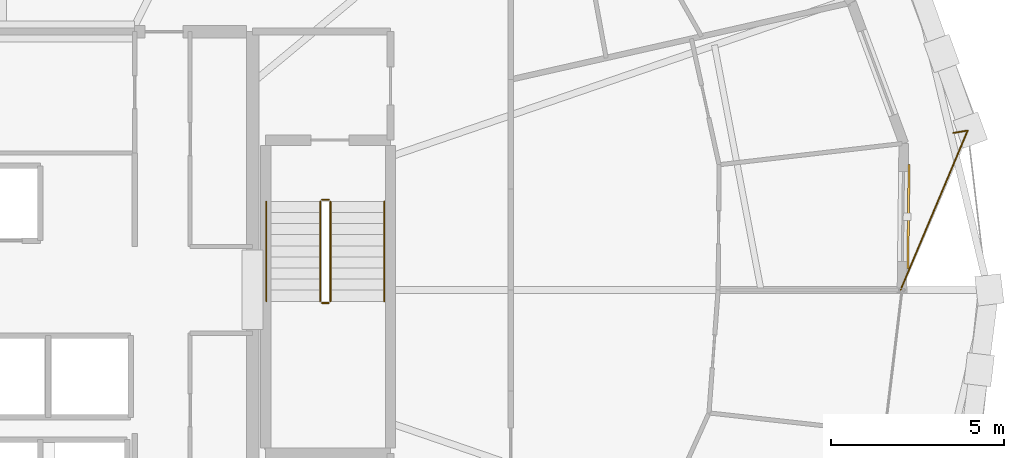
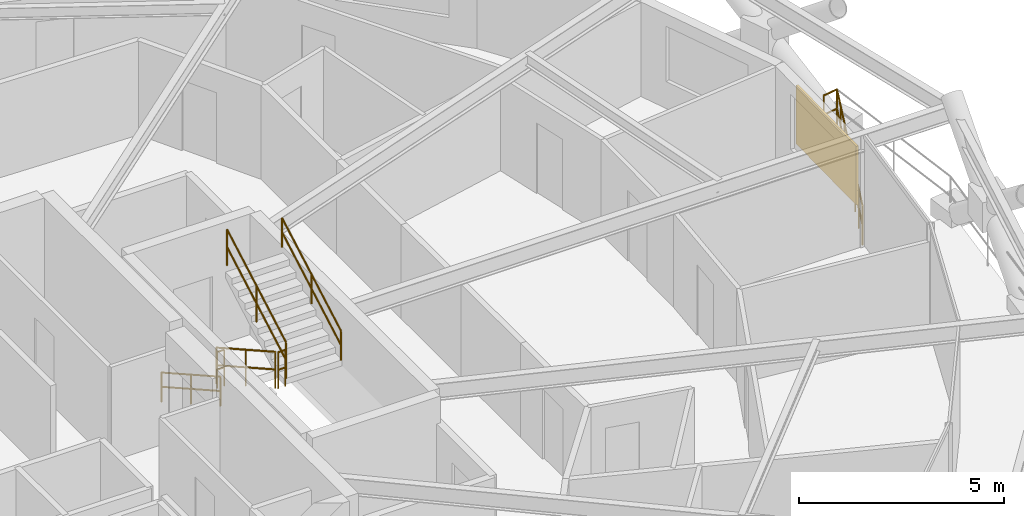
# One storey, part 21 of 21: 7 railings, 1 shading device.
"""IFC4 building model written with IfcOpenShell, lengths in metres."""

from ifc_helpers import new_model, si_unit, direction, frame, origin, origin_2d, place, context, subcontext, project, spatial, rectangle, circle, extrude, material, layer, layer_set, type_object, element, save


model = new_model("IFC4")

# Units and contexts
model_context = context("Model", 3, precision=1e-05, world=origin(), true_north=direction((0.0, 1.0)))
body_context = subcontext(model_context, "Body", "Model", "MODEL_VIEW")
ifc_project = project(units=[si_unit("LENGTHUNIT", "METRE"), si_unit("AREAUNIT", "SQUARE_METRE"), si_unit("VOLUMEUNIT", "CUBIC_METRE"), si_unit("PLANEANGLEUNIT", "RADIAN"), si_unit("MASSUNIT", "GRAM", prefix="KILO")], contexts=[model_context])

# Site, building, storey
site_placement = place(None, origin())
site = spatial("IfcSite", under=ifc_project, at=site_placement, CompositionType="ELEMENT")
building_placement = place(site_placement, origin())
building = spatial("IfcBuilding", under=site, at=building_placement, Name="Veldorina Hangang Commons", CompositionType="ELEMENT")
storey_placement = place(building_placement, frame((0.0, 0.0, 138.800048828125)))
storey = spatial("IfcBuildingStorey", under=building, at=storey_placement, Name="L35", CompositionType="ELEMENT", Elevation=138.800048828125)

# Railings
ifc_material_1 = material(Name="Glass Laminated Safety Balustrade", Category="glass")
railing_type_1 = type_object("IfcRailingType", Name="RL-BAL-LOGGIA", PredefinedType="BALUSTRADE", material=ifc_material_1)
railing_1_placement = place(storey_placement, frame((59.418212890625, 28.52685546875, 0.0)))
element("IfcRailing", 1, at=railing_1_placement, inside=storey, type_object=railing_type_1, Name="L35 sky-garden loggia end balustrade B", PredefinedType="BALUSTRADE", context=body_context, shape_type="SweptSolid", body=[
    extrude(circle(Radius=0.02392578125, at=origin_2d()), frame((0.0, 0.0, 1.17578125), z_axis=(0.986659757818, 0.162795952969, 0.0), x_axis=(-0.162795952969, 0.986659757818, 0.0)), (0.0, 0.0, 1.0), 0.419921875),
    extrude(circle(Radius=0.02392578125, at=origin_2d()), frame((0.0, 0.0, 0.60009765625), z_axis=(0.986659757818, 0.162795952969, 0.0), x_axis=(-0.162795952969, 0.986659757818, 0.0)), (0.0, 0.0, 1.0), 0.419921875),
    extrude(circle(Radius=0.02392578125, at=origin_2d()), frame((0.414306640625, 0.068359375, 1.17578125), z_axis=(-0.38797162165, -0.921671319286, 0.0), x_axis=(0.921671319286, -0.38797162165, 0.0)), (0.0, 0.0, 1.0), 4.98583984375),
    extrude(circle(Radius=0.02392578125, at=origin_2d()), frame((0.414306640625, 0.068359375, 0.60009765625), z_axis=(-0.38797162165, -0.921671319286, 0.0), x_axis=(0.921671319286, -0.38797162165, 0.0)), (0.0, 0.0, 1.0), 4.98583984375),
    extrude(circle(Radius=0.02099609375, at=origin_2d()), origin(), (0.0, 0.0, 1.0), 1.15185546875),
    extrude(circle(Radius=0.02099609375, at=origin_2d()), frame((0.414306640625, 0.068359375, 0.0)), (0.0, 0.0, 1.0), 1.15185546875),
    extrude(circle(Radius=0.02099609375, at=origin_2d()), frame((0.137939453125, -0.588134765625, 0.0)), (0.0, 0.0, 1.0), 1.15185546875),
    extrude(circle(Radius=0.02099609375, at=origin_2d()), frame((-0.138427734375, -1.24462890625, 0.0)), (0.0, 0.0, 1.0), 1.15185546875),
    extrude(circle(Radius=0.02099609375, at=origin_2d()), frame((-0.414794921875, -1.901123046875, 0.0)), (0.0, 0.0, 1.0), 1.15185546875),
    extrude(circle(Radius=0.02099609375, at=origin_2d()), frame((-0.69091796875, -2.557373046875, 0.0)), (0.0, 0.0, 1.0), 1.15185546875),
    extrude(circle(Radius=0.02099609375, at=origin_2d()), frame((-0.96728515625, -3.2138671875, 0.0)), (0.0, 0.0, 1.0), 1.15185546875),
    extrude(circle(Radius=0.02099609375, at=origin_2d()), frame((-1.24365234375, -3.870361328125, 0.0)), (0.0, 0.0, 1.0), 1.15185546875),
    extrude(circle(Radius=0.02099609375, at=origin_2d()), frame((-1.52001953125, -4.52685546875, 0.0)), (0.0, 0.0, 1.0), 1.15185546875),
])
ifc_material_2 = material(Name="Steel Painted Balustrade", Category="steel")
railing_type_2 = type_object("IfcRailingType", Name="RL-GRD-STAIR", PredefinedType="GUARDRAIL", material=ifc_material_2)
railing_2_placement = place(storey_placement, frame((41.14990234375, 26.550048828125, 0.179931640625)))
element("IfcRailing", 2, at=railing_2_placement, inside=storey, type_object=railing_type_2, Name="L35 ST-2 stair guard 1", PredefinedType="GUARDRAIL", context=body_context, shape_type="SweptSolid", body=[
    extrude(circle(Radius=0.02392578125, at=origin_2d()), frame((0.0, 0.0, 1.076171875), z_axis=(0.0, -0.871569617843, 0.490271762652), x_axis=(1.0, 0.0, 0.0)), (0.0, 0.0, 1.0), 3.304443359375),
    extrude(circle(Radius=0.02392578125, at=origin_2d()), frame((0.0, 0.0, 0.550048828125), z_axis=(0.0, -0.871569617843, 0.490271762652), x_axis=(1.0, 0.0, 0.0)), (0.0, 0.0, 1.0), 3.304443359375),
    extrude(circle(Radius=0.02099609375, at=origin_2d()), origin(), (0.0, 0.0, 1.0), 1.052001953125),
    extrude(circle(Radius=0.02099609375, at=origin_2d()), frame((0.0, -1.43994140625, 0.81005859375)), (0.0, 0.0, 1.0), 1.052001953125),
    extrude(circle(Radius=0.02099609375, at=origin_2d()), frame((0.0, -2.880126953125, 1.6201171875)), (0.0, 0.0, 1.0), 1.052001953125),
])
railing_3_placement = place(storey_placement, frame((41.199951171875, 23.6201171875, 1.800048828125)))
element("IfcRailing", 3, at=railing_3_placement, inside=storey, type_object=railing_type_2, Name="L35 ST-2 stair guard 2", PredefinedType="GUARDRAIL", context=body_context, shape_type="SweptSolid", body=[
    extrude(circle(Radius=0.02392578125, at=origin_2d()), frame((0.0, 0.0, 1.076171875), z_axis=(1.0, 0.0, 0.0), x_axis=(0.0, 1.0, 0.0)), (0.0, 0.0, 1.0), 0.199951171875),
    extrude(circle(Radius=0.02392578125, at=origin_2d()), frame((0.0, 0.0, 0.550048828125), z_axis=(1.0, 0.0, 0.0), x_axis=(0.0, 1.0, 0.0)), (0.0, 0.0, 1.0), 0.199951171875),
    extrude(circle(Radius=0.02099609375, at=origin_2d()), origin(), (0.0, 0.0, 1.0), 1.052001953125),
    extrude(circle(Radius=0.02099609375, at=origin_2d()), frame((0.199951171875, 0.0, 0.0)), (0.0, 0.0, 1.0), 1.052001953125),
])
railing_4_placement = place(storey_placement, frame((41.449951171875, 23.669921875, 1.97998046875)))
element("IfcRailing", 4, at=railing_4_placement, inside=storey, type_object=railing_type_2, Name="L35 ST-2 stair guard 3", PredefinedType="GUARDRAIL", context=body_context, shape_type="SweptSolid", body=[
    extrude(circle(Radius=0.02392578125, at=origin_2d()), frame((0.0, 0.0, 1.076171875), z_axis=(0.0, 0.871601186807, 0.490215637405), x_axis=(-1.0, 0.0, 0.0)), (0.0, 0.0, 1.0), 3.304443359375),
    extrude(circle(Radius=0.02392578125, at=origin_2d()), frame((0.0, 0.0, 0.550048828125), z_axis=(0.0, 0.871601186807, 0.490215637405), x_axis=(-1.0, 0.0, 0.0)), (0.0, 0.0, 1.0), 3.304443359375),
    extrude(circle(Radius=0.02099609375, at=origin_2d()), origin(), (0.0, 0.0, 1.0), 1.052001953125),
    extrude(circle(Radius=0.02099609375, at=origin_2d()), frame((0.0, 1.43994140625, 0.81005859375)), (0.0, 0.0, 1.0), 1.052001953125),
    extrude(circle(Radius=0.02099609375, at=origin_2d()), frame((0.0, 2.880126953125, 1.619873046875)), (0.0, 0.0, 1.0), 1.052001953125),
])
railing_5_placement = place(storey_placement, frame((41.199951171875, 26.60009765625, 0.0)))
element("IfcRailing", 5, at=railing_5_placement, inside=storey, type_object=railing_type_2, Name="L35 ST-2 stair guard 4", PredefinedType="GUARDRAIL", context=body_context, shape_type="SweptSolid", body=[
    extrude(circle(Radius=0.02392578125, at=origin_2d()), frame((0.0, 0.0, 1.076171875), z_axis=(1.0, 0.0, 0.0), x_axis=(0.0, 1.0, 0.0)), (0.0, 0.0, 1.0), 0.199951171875),
    extrude(circle(Radius=0.02392578125, at=origin_2d()), frame((0.0, 0.0, 0.550048828125), z_axis=(1.0, 0.0, 0.0), x_axis=(0.0, 1.0, 0.0)), (0.0, 0.0, 1.0), 0.199951171875),
    extrude(circle(Radius=0.02099609375, at=origin_2d()), origin(), (0.0, 0.0, 1.0), 1.052001953125),
    extrude(circle(Radius=0.02099609375, at=origin_2d()), frame((0.199951171875, 0.0, 0.0)), (0.0, 0.0, 1.0), 1.052001953125),
])
ifc_material_3 = material(Name="Stainless Steel Brushed 316", Category="steel")
railing_type_3 = type_object("IfcRailingType", Name="RL-HND-STAIR", PredefinedType="HANDRAIL", material=ifc_material_3)
railing_6_placement = place(storey_placement, frame((39.60009765625, 26.550048828125, 0.179931640625)))
element("IfcRailing", 6, at=railing_6_placement, inside=storey, type_object=railing_type_3, Name="L35 ST-2 stair handrail 1", PredefinedType="HANDRAIL", context=body_context, shape_type="SweptSolid", body=[
    extrude(circle(Radius=0.02392578125, at=origin_2d()), frame((0.0, 0.0, 0.8759765625), z_axis=(0.0, -0.871569617843, 0.490271762652), x_axis=(1.0, 0.0, 0.0)), (0.0, 0.0, 1.0), 3.304443359375),
    extrude(circle(Radius=0.02392578125, at=origin_2d()), frame((0.0, 0.0, 0.449951171875), z_axis=(0.0, -0.871569617843, 0.490271762652), x_axis=(1.0, 0.0, 0.0)), (0.0, 0.0, 1.0), 3.304443359375),
    extrude(circle(Radius=0.02099609375, at=origin_2d()), origin(), (0.0, 0.0, 1.0), 0.851806640625),
    extrude(circle(Radius=0.02099609375, at=origin_2d()), frame((0.0, -1.43994140625, 0.81005859375)), (0.0, 0.0, 1.0), 0.851806640625),
    extrude(circle(Radius=0.02099609375, at=origin_2d()), frame((0.0, -2.880126953125, 1.6201171875)), (0.0, 0.0, 1.0), 0.851806640625),
])
railing_7_placement = place(storey_placement, frame((43.0, 23.669921875, 1.97998046875)))
element("IfcRailing", 7, at=railing_7_placement, inside=storey, type_object=railing_type_3, Name="L35 ST-2 stair handrail 2", PredefinedType="HANDRAIL", context=body_context, shape_type="SweptSolid", body=[
    extrude(circle(Radius=0.02392578125, at=origin_2d()), frame((0.0, 0.0, 0.8759765625), z_axis=(0.0, 0.871601186807, 0.490215637405), x_axis=(-1.0, 0.0, 0.0)), (0.0, 0.0, 1.0), 3.304443359375),
    extrude(circle(Radius=0.02392578125, at=origin_2d()), frame((0.0, 0.0, 0.449951171875), z_axis=(0.0, 0.871601186807, 0.490215637405), x_axis=(-1.0, 0.0, 0.0)), (0.0, 0.0, 1.0), 3.304443359375),
    extrude(circle(Radius=0.02099609375, at=origin_2d()), origin(), (0.0, 0.0, 1.0), 0.851806640625),
    extrude(circle(Radius=0.02099609375, at=origin_2d()), frame((0.0, 1.43994140625, 0.81005859375)), (0.0, 0.0, 1.0), 0.851806640625),
    extrude(circle(Radius=0.02099609375, at=origin_2d()), frame((0.0, 2.880126953125, 1.619873046875)), (0.0, 0.0, 1.0), 0.851806640625),
])

# Shading device
ifc_material_4 = material(Name="Ceramic Glazed Terracotta", Category="masonry")
ifc_layer = layer(ifc_material_4, 0.06005859375)
ifc_layer_set = layer_set([ifc_layer], Name="Ceramic Glazed Terracotta")
shading_device_type = type_object("IfcShadingDeviceType", Name="SCR-CER-3000", PredefinedType="USERDEFINED", material=ifc_layer_set)
shading_device_placement = place(storey_placement, frame((58.123779296875, 26.111083984375, 0.75), z_axis=(0.0, 0.0, 1.0), x_axis=(0.012025028722, 0.999927696728, 0.0)))
element("IfcShadingDevice", 8, at=shading_device_placement, inside=storey, type_object=shading_device_type, Name="L35 PERFORATED CERAMIC SOLAR SCREEN 00", ObjectType="SCREEN", PredefinedType="USERDEFINED", context=body_context, shape_type="SweptSolid", body=[
    extrude(rectangle(XDim=3.0, YDim=0.06005859375, at=origin_2d()), origin(), (0.0, 0.0, 1.0), 1.75),
])

save(model, "model.ifc")
